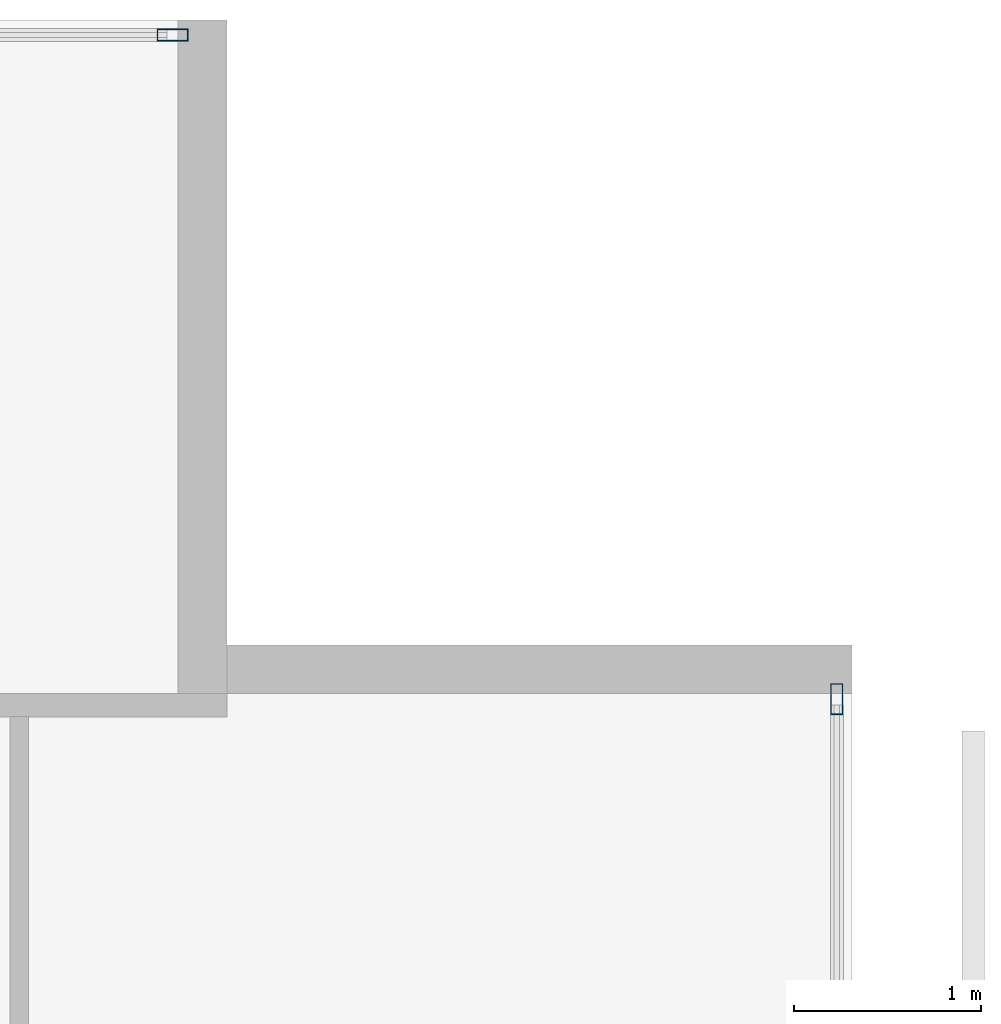
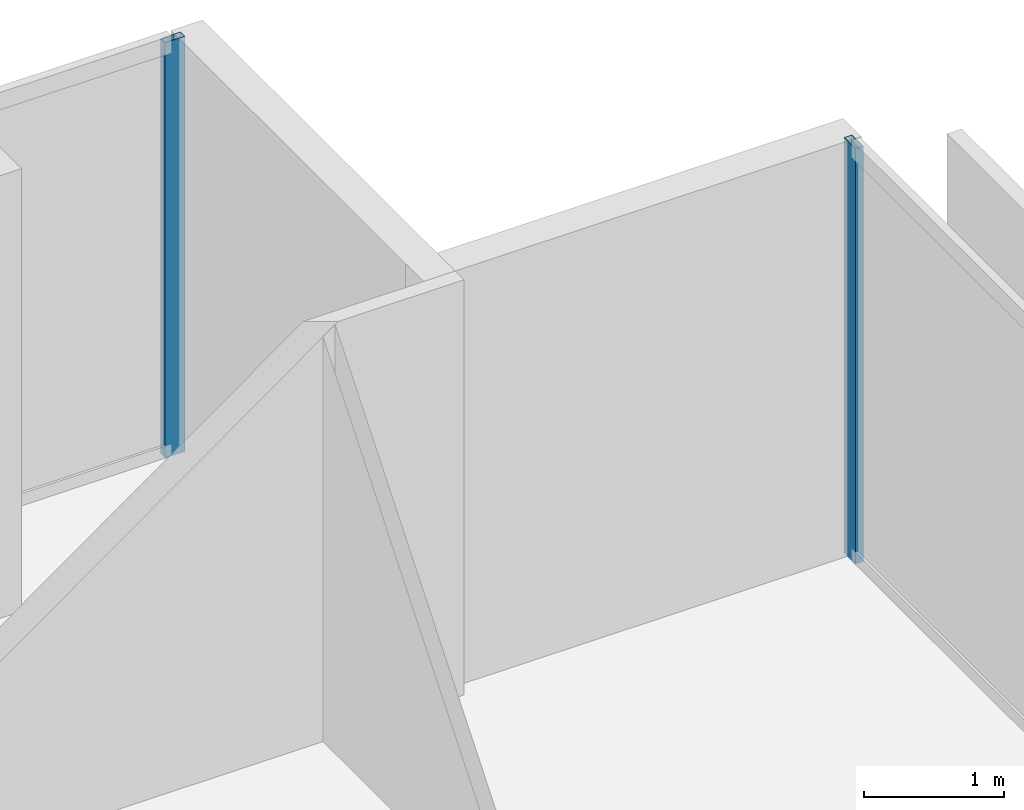
# One storey, part 31 of 40: 2 members, 2 elements without a shape of their own.
"""IFC4 building model written with IfcOpenShell, lengths in metres."""

from ifc_helpers import new_model, si_unit, direction, frame, origin, origin_2d, place, context, subcontext, project, spatial, hollow_rectangle, extrude, material, layer, layer_set, material_profile, profile_set, type_object, element, aggregate, save


model = new_model("IFC4")

# Units and contexts
model_context = context("Model", 3, precision=1e-05, world=origin(), true_north=direction((0.0, 1.0)))
body_context = subcontext(model_context, "Body", "Model", "MODEL_VIEW")
ifc_project = project(units=[si_unit("LENGTHUNIT", "METRE"), si_unit("AREAUNIT", "SQUARE_METRE"), si_unit("VOLUMEUNIT", "CUBIC_METRE"), si_unit("PLANEANGLEUNIT", "RADIAN"), si_unit("MASSUNIT", "GRAM", prefix="KILO")], contexts=[model_context])

# Site, building, storey
site_placement = place(None, origin())
site = spatial("IfcSite", under=ifc_project, at=site_placement, CompositionType="ELEMENT")
building_placement = place(site_placement, origin())
building = spatial("IfcBuilding", under=site, at=building_placement, Name="Maruvema Waterfront Hotel and Observation Tower", CompositionType="ELEMENT")
storey_placement = place(building_placement, frame((0.0, 0.0, 88.550048828125)))
storey = spatial("IfcBuildingStorey", under=building, at=storey_placement, Name="L21", CompositionType="ELEMENT", Elevation=88.550048828125)

# Curtain wall, member
ifc_material_1 = material(Name="Anodised bronze aluminium and solar-control low-E IGU", Category="aluminium")
ifc_layer = layer(ifc_material_1, 0.159912109375, Name="Zone 1 Bronze Inner Thermal Curtain Wall System CW-02")
ifc_layer_set = layer_set([ifc_layer], Name="Anodised bronze aluminium and solar-control low-E IGU")
curtain_wall_type = type_object("IfcCurtainWallType", Name="Zone 1 Bronze Inner Thermal Curtain Wall System CW-02", PredefinedType="USERDEFINED", material=ifc_layer_set)
curtain_wall_1_placement = place(storey_placement, origin())
curtain_wall_1 = element("IfcCurtainWall", 1, at=curtain_wall_1_placement, inside=storey, type_object=curtain_wall_type, Name="L21 Curtain Wall CW-L21-E", ObjectType="UNITISED CURTAIN WALL", PredefinedType="USERDEFINED")
ifc_material_2 = material(Name="Anodised architectural bronze aluminium", Category="aluminium")
ifc_material_profile = material_profile(ifc_material_2, hollow_rectangle(XDim=0.06494140625, YDim=0.1650390625, WallThickness=0.00390625, at=origin_2d()), Name="ALU-M65x165")
ifc_profile_set = profile_set([ifc_material_profile], Name="Anodised architectural bronze aluminium")
member_type = type_object("IfcMemberType", Name="Curtain Wall Primary Mullion ALU-M65x165", PredefinedType="MULLION", material=ifc_profile_set)
member_1_placement = place(storey_placement, frame((64.719970703125, 50.3701171875, 0.0), z_axis=(0.0, 0.0, 1.0), x_axis=(-1.0, 0.0, 0.0)))
member_1 = element("IfcMember", 2, at=member_1_placement, type_object=member_type, Name="CW-02 mullion 7", PredefinedType="MULLION", context=body_context, shape_type="SweptSolid", body=[
    extrude(hollow_rectangle(XDim=0.06494140625, YDim=0.1650390625, WallThickness=0.00390625, at=origin_2d()), origin(), (0.0, 0.0, 1.0), 3.60986328125),
])
aggregate(curtain_wall_1, [member_1])

curtain_wall_2_placement = place(storey_placement, origin())
curtain_wall_2 = element("IfcCurtainWall", 3, at=curtain_wall_2_placement, inside=storey, type_object=curtain_wall_type, Name="L21 Curtain Wall CW-L21-NE", ObjectType="UNITISED CURTAIN WALL", PredefinedType="USERDEFINED")
member_2_placement = place(storey_placement, frame((61.169921875, 53.919921875, 0.0), z_axis=(0.0, 0.0, 1.0), x_axis=(0.0, -1.0, 0.0)))
member_2 = element("IfcMember", 4, at=member_2_placement, type_object=member_type, Name="CW-02 mullion 1", PredefinedType="MULLION", context=body_context, shape_type="SweptSolid", body=[
    extrude(hollow_rectangle(XDim=0.06494140625, YDim=0.1650390625, WallThickness=0.00390625, at=origin_2d()), origin(), (0.0, 0.0, 1.0), 3.60986328125),
])
aggregate(curtain_wall_2, [member_2])

save(model, "model.ifc")
